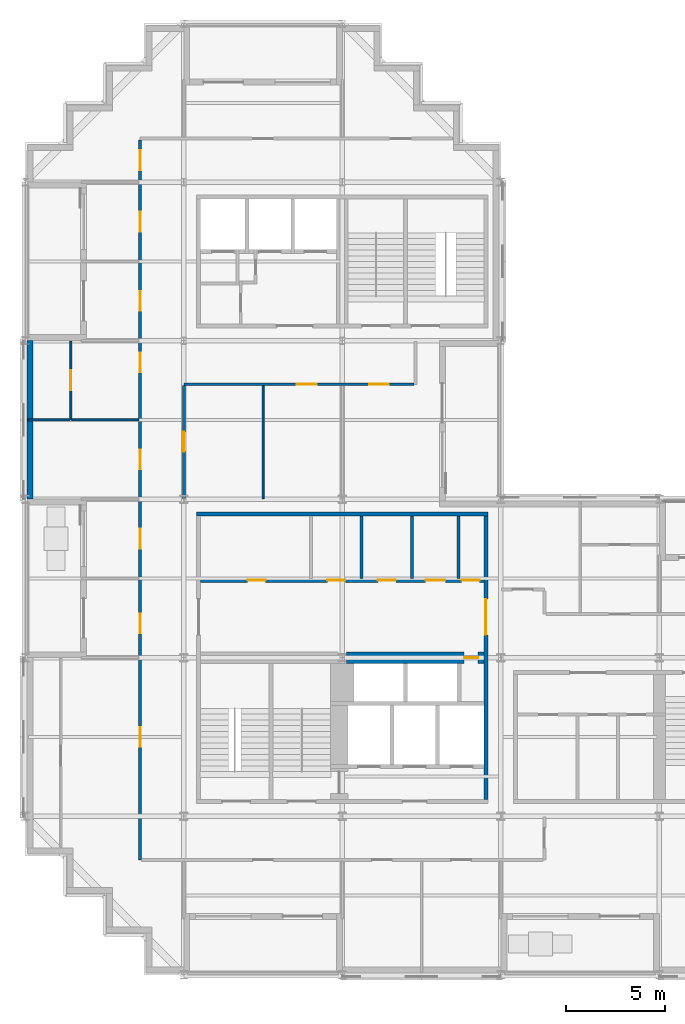
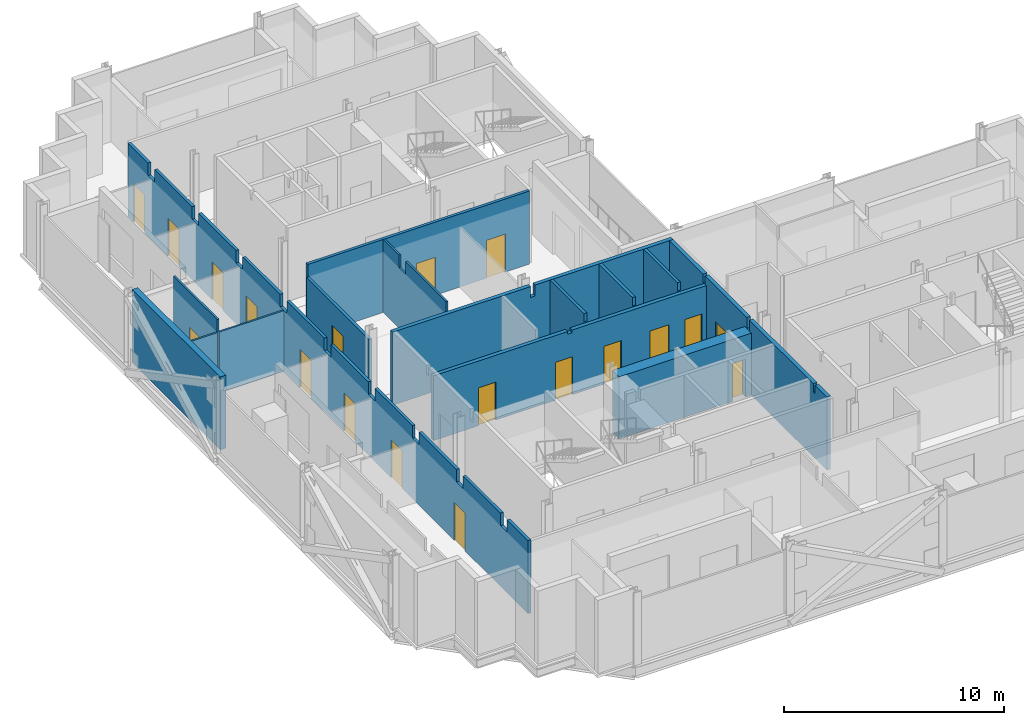
# One storey, part 6 of 13: 19 doors, 15 walls, 19 openings.
"""IFC4 building model written with IfcOpenShell, lengths in metres."""

from ifc_helpers import new_model, si_unit, direction, frame, frame_2d, origin, place, context, subcontext, project, spatial, polyline, rectangle, outline, extrude, material, layer, layer_set, type_object, element, fill, save


model = new_model("IFC4")

# Units and contexts
model_context = context("Model", 3, precision=1e-05, world=origin(), true_north=direction((0.0, 1.0)))
body_context = subcontext(model_context, "Body", "Model", "MODEL_VIEW")
ifc_project = project(units=[si_unit("LENGTHUNIT", "METRE"), si_unit("AREAUNIT", "SQUARE_METRE"), si_unit("VOLUMEUNIT", "CUBIC_METRE"), si_unit("PLANEANGLEUNIT", "RADIAN"), si_unit("MASSUNIT", "GRAM", prefix="KILO")], contexts=[model_context])

# Site, building, storey
site_placement = place(None, origin())
site = spatial("IfcSite", under=ifc_project, at=site_placement, CompositionType="ELEMENT")
building_placement = place(site_placement, origin())
building = spatial("IfcBuilding", under=site, at=building_placement, Name="Immortelle Media Tower", CompositionType="ELEMENT")
storey_placement = place(building_placement, frame((0.0, 0.0, 170.39990234375)))
storey = spatial("IfcBuildingStorey", under=building, at=storey_placement, Name="L35", CompositionType="ELEMENT", Elevation=170.39990234375)

# Wall, opening, door
ifc_material_1 = material(Name="Fire-rated masonry blockwork", Category="masonry")
ifc_layer_1 = layer(ifc_material_1, 0.60009765625)
ifc_layer_set_1 = layer_set([ifc_layer_1], Name="Fire-rated masonry blockwork")
wall_type_1 = type_object("IfcWallType", Name="Core grid-line wall 600", PredefinedType="PARTITIONING", material=ifc_layer_set_1)
wall_1_placement = place(storey_placement, frame((16.20947265625, 16.0, 0.0), z_axis=(0.0, 0.0, 1.0), x_axis=(1.0, 0.0, 0.0)))
wall_1 = element("IfcWall", 1, at=wall_1_placement, inside=storey, type_object=wall_type_1, Name="Core grid-line wall SW", PredefinedType="PARTITIONING", context=body_context, shape_type="SweptSolid", body=[
    extrude(rectangle(XDim=6.9404296875, YDim=0.60009765625, at=frame_2d((3.47021484375, 0.0))), origin(), (0.0, 0.0, 1.0), 3.442138671875),
])
opening_1_placement = place(wall_1_placement, frame((6.640380859375, 0.0, 0.0), z_axis=(0.0, 0.0, 1.0), x_axis=(-1.0, 0.0, 0.0)))
opening_1 = element("IfcOpeningElement", 2, at=opening_1_placement, cuts=wall_1, Name="Opening C5-K016", PredefinedType="OPENING", context=body_context, shape_type="SweptSolid", body=[
    extrude(rectangle(XDim=0.699951171875, YDim=2.10009765625, at=frame_2d((0.35009765625, 1.050048828125))), frame((0.0, 0.31005859375, 0.0), z_axis=(0.0, -1.0, 0.0), x_axis=(1.0, 0.0, 0.0)), (0.0, 0.0, 1.0), 0.6201171875),
])
ifc_material_2 = material(Name="Galvanised steel door leaf and frame ASTM A653", Category="steel")
door_type_1 = type_object("IfcDoorType", Name="Service door 700 x 2100", OperationType="NOTDEFINED", PredefinedType="NOTDEFINED", material=ifc_material_2)
door_1_placement = place(opening_1_placement, origin())
door_1 = element("IfcDoor", 3, at=door_1_placement, inside=storey, type_object=door_type_1, Name="Service C5-K016", OperationType="SINGLE_SWING_LEFT", OverallHeight=2.10009765625, OverallWidth=0.699951171875, PredefinedType="NOTDEFINED", context=body_context, shape_type="SweptSolid", body=[
    extrude(rectangle(XDim=0.699951171875, YDim=2.10009765625, at=frame_2d((0.35009765625, 1.050048828125))), frame((0.0, 0.02490234375, 0.0), z_axis=(0.0, -1.0, 0.0), x_axis=(1.0, 0.0, 0.0)), (0.0, 0.0, 1.0), 0.050048828125),
])
fill(opening_1, door_1)

# Walls
ifc_material_3 = material(Name="Fire-rated gypsum board", Category="gypsum")
ifc_layer_2 = layer(ifc_material_3, 0.02490234375)
ifc_material_4 = material(Name="Steel ASTM A653 SS Gr 50 stud frame with mineral wool", Category="steel")
ifc_layer_3 = layer(ifc_material_4, 0.10009765625)
ifc_layer_4 = layer(ifc_material_3, 0.02490234375)
ifc_layer_set_2 = layer_set([ifc_layer_2, ifc_layer_3, ifc_layer_4], Name="Steel ASTM A653 SS Gr 50 stud frame with mineral wool")
wall_type_2 = type_object("IfcWallType", Name="Core partition 150", PredefinedType="PARTITIONING", material=ifc_layer_set_2)
for number, where, z_axis, x_axis, name in (
    (4, (16.97509765625, 20.0, 0.0), (0.0, 0.0, 1.0), (0.0, 1.0, 0.0), "Core partition SW"),
    (5, (19.52490234375, 20.0, 0.0), (0.0, 0.0, 1.0), (0.0, 1.0, 0.0), "Core partition SW"),
    (6, (21.875, 20.0, 0.0), (0.0, 0.0, 1.0), (0.0, 1.0, 0.0), "Core partition SW"),
):
    element("IfcWall", number, at=place(storey_placement, frame(where, z_axis=z_axis, x_axis=x_axis)), inside=storey, type_object=wall_type_2, Name=name, PredefinedType="PARTITIONING", context=body_context, shape_type="SweptSolid", body=[
        extrude(outline(polyline([(0.0, 0.0), (3.14990234375, 0.0), (3.14990234375, 4.050048828125), (0.08154296875, 4.050048828125), (0.08056640625, 3.589111328125), (0.0, 3.589111328125), (0.0, 0.0)])), frame((0.0, 0.074951171875, 0.0), z_axis=(0.0, -1.0, 0.0), x_axis=(1.0, 0.0, 0.0)), (0.0, 0.0, 1.0), 0.14990234375),
    ])
ifc_layer_5 = layer(ifc_material_3, 0.03759765625)
ifc_layer_6 = layer(ifc_material_4, 0.125)
ifc_layer_7 = layer(ifc_material_3, 0.03759765625)
ifc_layer_set_3 = layer_set([ifc_layer_5, ifc_layer_6, ifc_layer_7], Name="Steel ASTM A653 SS Gr 50 stud frame with mineral wool")
wall_type_3 = type_object("IfcWallType", Name="Core shaft wall 200", PredefinedType="PARTITIONING", material=ifc_layer_set_3)
wall_2_placement = place(storey_placement, frame((8.64990234375, 23.25, 0.0), z_axis=(0.0, 0.0, 1.0), x_axis=(1.0, 0.0, 0.0)))
element("IfcWall", 7, at=wall_2_placement, inside=storey, type_object=wall_type_3, Name="Core shaft wall SW", PredefinedType="PARTITIONING", context=body_context, shape_type="SweptSolid", body=[
    extrude(outline(polyline([(0.0, 0.0), (14.7001953125, 0.0), (14.699951171875, 4.050048828125), (7.468994140625, 4.050048828125), (7.468017578125, 3.442138671875), (7.23193359375, 3.442138671875), (7.23095703125, 4.050048828125), (0.0, 4.050048828125), (0.0, 0.0)])), frame((0.0, 0.10009765625, 0.0), z_axis=(0.0, -1.0, 0.0), x_axis=(1.0, 0.0, 0.0)), (0.0, 0.0, 1.0), 0.199951171875),
])

# Wall, openings, doors
wall_3_placement = place(storey_placement, frame((8.85009765625, 19.89990234375, 0.0), z_axis=(0.0, 0.0, 1.0), x_axis=(1.0, 0.0, 0.0)))
wall_3 = element("IfcWall", 8, at=wall_3_placement, inside=storey, type_object=wall_type_3, Name="Core shaft wall SW", PredefinedType="PARTITIONING", context=body_context, shape_type="SweptSolid", body=[
    extrude(outline(polyline([(0.0, 0.0), (14.2998046875, 0.0), (14.300048828125, 3.589111328125), (7.26904296875, 3.589111328125), (7.26806640625, 3.442138671875), (7.031982421875, 3.442138671875), (7.031005859375, 3.589111328125), (0.0, 3.589111328125), (0.0, 0.0)])), frame((0.0, 0.10009765625, 0.0), z_axis=(0.0, -1.0, 0.0), x_axis=(1.0, 0.0, 0.0)), (0.0, 0.0, 1.0), 0.199951171875),
])
opening_2_placement = place(wall_3_placement, frame((2.375, 0.0, 0.0)))
opening_2 = element("IfcOpeningElement", 9, at=opening_2_placement, cuts=wall_3, Name="Opening C5-K035", PredefinedType="OPENING", context=body_context, shape_type="SweptSolid", body=[
    extrude(rectangle(XDim=0.89990234375, YDim=2.10009765625, at=frame_2d((0.449951171875, 1.050048828125))), frame((0.0, 0.10986328125, 0.0), z_axis=(0.0, -1.0, 0.0), x_axis=(1.0, 0.0, 0.0)), (0.0, 0.0, 1.0), 0.219970703125),
])
opening_3_placement = place(wall_3_placement, frame((6.39990234375, 0.0, 0.0)))
opening_3 = element("IfcOpeningElement", 10, at=opening_3_placement, cuts=wall_3, Name="Opening C5-K036", PredefinedType="OPENING", context=body_context, shape_type="SweptSolid", body=[
    extrude(rectangle(XDim=0.89990234375, YDim=2.10009765625, at=frame_2d((0.449951171875, 1.050048828125))), frame((0.0, 0.10986328125, 0.0), z_axis=(0.0, -1.0, 0.0), x_axis=(1.0, 0.0, 0.0)), (0.0, 0.0, 1.0), 0.219970703125),
])
opening_4_placement = place(wall_3_placement, frame((8.949951171875, 0.0, 0.0)))
opening_4 = element("IfcOpeningElement", 11, at=opening_4_placement, cuts=wall_3, Name="Opening C5-K037", PredefinedType="OPENING", context=body_context, shape_type="SweptSolid", body=[
    extrude(rectangle(XDim=0.89990234375, YDim=2.10009765625, at=frame_2d((0.449951171875, 1.050048828125))), frame((0.0, 0.10986328125, 0.0), z_axis=(0.0, -1.0, 0.0), x_axis=(1.0, 0.0, 0.0)), (0.0, 0.0, 1.0), 0.219970703125),
])
opening_5_placement = place(wall_3_placement, frame((11.35009765625, 0.0, 0.0)))
opening_5 = element("IfcOpeningElement", 12, at=opening_5_placement, cuts=wall_3, Name="Opening C5-K038", PredefinedType="OPENING", context=body_context, shape_type="SweptSolid", body=[
    extrude(rectangle(XDim=1.0, YDim=2.10009765625, at=frame_2d((0.5, 1.050048828125))), frame((0.0, 0.10986328125, 0.0), z_axis=(0.0, -1.0, 0.0), x_axis=(1.0, 0.0, 0.0)), (0.0, 0.0, 1.0), 0.219970703125),
])
opening_6_placement = place(wall_3_placement, frame((13.175048828125, 0.0, 0.0)))
opening_6 = element("IfcOpeningElement", 13, at=opening_6_placement, cuts=wall_3, Name="Opening C5-K039", PredefinedType="OPENING", context=body_context, shape_type="SweptSolid", body=[
    extrude(rectangle(XDim=0.89990234375, YDim=2.10009765625, at=frame_2d((0.449951171875, 1.050048828125))), frame((0.0, 0.10986328125, 0.0), z_axis=(0.0, -1.0, 0.0), x_axis=(1.0, 0.0, 0.0)), (0.0, 0.0, 1.0), 0.219970703125),
])
ifc_material_5 = material(Name="Timber", Category="wood")
door_type_2 = type_object("IfcDoorType", Name="Accessible toilet door 1000 x 2100", OperationType="NOTDEFINED", PredefinedType="NOTDEFINED", material=ifc_material_5)
door_2_placement = place(opening_5_placement, origin())
door_2 = element("IfcDoor", 14, at=door_2_placement, inside=storey, type_object=door_type_2, Name="Accessible toilet C5-K038", OperationType="SINGLE_SWING_RIGHT", OverallHeight=2.10009765625, OverallWidth=1.0, PredefinedType="NOTDEFINED", context=body_context, shape_type="SweptSolid", body=[
    extrude(rectangle(XDim=1.0, YDim=2.10009765625, at=frame_2d((0.5, 1.050048828125))), frame((0.0, 0.02490234375, 0.0), z_axis=(0.0, -1.0, 0.0), x_axis=(1.0, 0.0, 0.0)), (0.0, 0.0, 1.0), 0.050048828125),
])
fill(opening_5, door_2)
door_type_3 = type_object("IfcDoorType", Name="Room door 900 x 2100", OperationType="NOTDEFINED", PredefinedType="NOTDEFINED", material=ifc_material_5)
door_3_placement = place(opening_2_placement, origin())
door_3 = element("IfcDoor", 15, at=door_3_placement, inside=storey, type_object=door_type_3, Name="Room C5-K035", OperationType="SINGLE_SWING_RIGHT", OverallHeight=2.10009765625, OverallWidth=0.89990234375, PredefinedType="NOTDEFINED", context=body_context, shape_type="SweptSolid", body=[
    extrude(rectangle(XDim=0.89990234375, YDim=2.10009765625, at=frame_2d((0.449951171875, 1.050048828125))), frame((0.0, 0.02490234375, 0.0), z_axis=(0.0, -1.0, 0.0), x_axis=(1.0, 0.0, 0.0)), (0.0, 0.0, 1.0), 0.050048828125),
])
fill(opening_2, door_3)
door_type_4 = type_object("IfcDoorType", Name="Service door 900 x 2100", OperationType="NOTDEFINED", PredefinedType="NOTDEFINED", material=ifc_material_2)
door_4_placement = place(opening_6_placement, origin())
door_4 = element("IfcDoor", 16, at=door_4_placement, inside=storey, type_object=door_type_4, Name="Service C5-K039", OperationType="SINGLE_SWING_RIGHT", OverallHeight=2.10009765625, OverallWidth=0.89990234375, PredefinedType="NOTDEFINED", context=body_context, shape_type="SweptSolid", body=[
    extrude(rectangle(XDim=0.89990234375, YDim=2.10009765625, at=frame_2d((0.449951171875, 1.050048828125))), frame((0.0, 0.02490234375, 0.0), z_axis=(0.0, -1.0, 0.0), x_axis=(1.0, 0.0, 0.0)), (0.0, 0.0, 1.0), 0.050048828125),
])
fill(opening_6, door_4)
door_type_5 = type_object("IfcDoorType", Name="Toilet door 900 x 2100", OperationType="NOTDEFINED", PredefinedType="NOTDEFINED", material=ifc_material_5)
door_5_placement = place(opening_3_placement, origin())
door_5 = element("IfcDoor", 17, at=door_5_placement, inside=storey, type_object=door_type_5, Name="Toilet C5-K036", OperationType="SINGLE_SWING_LEFT", OverallHeight=2.10009765625, OverallWidth=0.89990234375, PredefinedType="NOTDEFINED", context=body_context, shape_type="SweptSolid", body=[
    extrude(rectangle(XDim=0.89990234375, YDim=2.10009765625, at=frame_2d((0.449951171875, 1.050048828125))), frame((0.0, 0.02490234375, 0.0), z_axis=(0.0, -1.0, 0.0), x_axis=(1.0, 0.0, 0.0)), (0.0, 0.0, 1.0), 0.050048828125),
])
fill(opening_3, door_5)
door_6_placement = place(opening_4_placement, origin())
door_6 = element("IfcDoor", 18, at=door_6_placement, inside=storey, type_object=door_type_5, Name="Toilet C5-K037", OperationType="SINGLE_SWING_LEFT", OverallHeight=2.10009765625, OverallWidth=0.89990234375, PredefinedType="NOTDEFINED", context=body_context, shape_type="SweptSolid", body=[
    extrude(rectangle(XDim=0.89990234375, YDim=2.10009765625, at=frame_2d((0.449951171875, 1.050048828125))), frame((0.0, 0.02490234375, 0.0), z_axis=(0.0, -1.0, 0.0), x_axis=(1.0, 0.0, 0.0)), (0.0, 0.0, 1.0), 0.050048828125),
])
fill(opening_4, door_6)

# Wall, opening, door
wall_4_placement = place(storey_placement, frame((23.25, 8.85009765625, 0.0), z_axis=(0.0, 0.0, 1.0), x_axis=(0.0, 1.0, 0.0)))
wall_4 = element("IfcWall", 19, at=wall_4_placement, inside=storey, type_object=wall_type_3, Name="Core shaft wall SW", PredefinedType="PARTITIONING", context=body_context, shape_type="SweptSolid", body=[
    extrude(outline(polyline([(0.0, 0.0), (14.2998046875, 0.0), (14.300048828125, 4.050048828125), (11.2314453125, 4.050048828125), (11.23046875, 3.589111328125), (11.069580078125, 3.589111328125), (11.068603515625, 4.050048828125), (7.26904296875, 4.050048828125), (7.26806640625, 3.442138671875), (7.031982421875, 3.442138671875), (7.031005859375, 4.050048828125), (1.2314453125, 4.050048828125), (1.23046875, 3.589111328125), (1.069580078125, 3.589111328125), (1.068603515625, 4.050048828125), (0.0, 4.050048828125), (0.0, 0.0)])), frame((0.0, 0.10009765625, 0.0), z_axis=(0.0, -1.0, 0.0), x_axis=(1.0, 0.0, 0.0)), (0.0, 0.0, 1.0), 0.199951171875),
])
opening_7_placement = place(wall_4_placement, frame((8.300048828125, 0.0, 0.0)))
opening_7 = element("IfcOpeningElement", 20, at=opening_7_placement, cuts=wall_4, Name="Opening C5-K017", PredefinedType="OPENING", context=body_context, shape_type="SweptSolid", body=[
    extrude(rectangle(XDim=1.800048828125, YDim=2.10009765625, at=frame_2d((0.89990234375, 1.050048828125))), frame((0.0, 0.10986328125, 0.0), z_axis=(0.0, -1.0, 0.0), x_axis=(1.0, 0.0, 0.0)), (0.0, 0.0, 1.0), 0.219970703125),
])
door_type_6 = type_object("IfcDoorType", Name="Lift lobby door 1800 x 2100", OperationType="DOUBLE_DOOR_SINGLE_SWING", PredefinedType="NOTDEFINED", material=ifc_material_2)
door_7_placement = place(opening_7_placement, origin())
door_7 = element("IfcDoor", 21, at=door_7_placement, inside=storey, type_object=door_type_6, Name="Lift lobby C5-K017", OperationType="DOUBLE_DOOR_SINGLE_SWING", OverallHeight=2.10009765625, OverallWidth=1.800048828125, PredefinedType="NOTDEFINED", context=body_context, shape_type="SweptSolid", body=[
    extrude(rectangle(XDim=1.800048828125, YDim=2.10009765625, at=frame_2d((0.89990234375, 1.050048828125))), frame((0.0, 0.02490234375, 0.0), z_axis=(0.0, -1.0, 0.0), x_axis=(1.0, 0.0, 0.0)), (0.0, 0.0, 1.0), 0.050048828125),
])
fill(opening_7, door_7)

# Wall, openings, doors
ifc_layer_8 = layer(ifc_material_3, 0.012451171875)
ifc_layer_9 = layer(ifc_material_4, 0.125)
ifc_layer_10 = layer(ifc_material_3, 0.012451171875)
ifc_layer_set_4 = layer_set([ifc_layer_8, ifc_layer_9, ifc_layer_10], Name="Steel ASTM A653 SS Gr 50 stud frame with mineral wool")
wall_type_4 = type_object("IfcWallType", Name="Corridor wall 150", PredefinedType="PARTITIONING", material=ifc_layer_set_4)
wall_5_placement = place(storey_placement, frame((5.800048828125, 5.800048828125, 0.0), z_axis=(0.0, 0.0, 1.0), x_axis=(0.0, 1.0, 0.0)))
wall_5 = element("IfcWall", 22, at=wall_5_placement, inside=storey, type_object=wall_type_4, Name="Partition L35-006", PredefinedType="PARTITIONING", context=body_context, shape_type="SweptSolid", body=[
    extrude(outline(polyline([(0.0, 0.0), (36.324951171875, 0.0), (36.324951171875, 4.050048828125), (34.5, 4.050048828125), (34.498046875, 3.35400390625), (33.902099609375, 3.35400390625), (33.89990234375, 4.050048828125), (30.5, 4.050048828125), (30.498046875, 3.35400390625), (29.902099609375, 3.35400390625), (29.89990234375, 4.050048828125), (26.5, 4.050048828125), (26.498046875, 3.35400390625), (25.902099609375, 3.35400390625), (25.89990234375, 4.050048828125), (22.5, 4.050048828125), (22.498046875, 3.35400390625), (21.902099609375, 3.35400390625), (21.89990234375, 4.050048828125), (18.5, 4.050048828125), (18.498046875, 3.35400390625), (17.902099609375, 3.35400390625), (17.89990234375, 4.050048828125), (14.5, 4.050048828125), (14.498046875, 3.35400390625), (13.902099609375, 3.35400390625), (13.89990234375, 4.050048828125), (10.5, 4.050048828125), (10.498046875, 3.35400390625), (9.902099609375, 3.35400390625), (9.89990234375, 4.050048828125), (6.5, 4.050048828125), (6.498046875, 3.35400390625), (5.902099609375, 3.35400390625), (5.89990234375, 4.050048828125), (2.5, 4.050048828125), (2.498046875, 3.35400390625), (1.902099609375, 3.35400390625), (1.89990234375, 4.050048828125), (0.0, 4.050048828125), (0.0, 0.0)])), frame((0.0, 0.074951171875, 0.0), z_axis=(0.0, -1.0, 0.0), x_axis=(1.0, 0.0, 0.0)), (0.0, 0.0, 1.0), 0.14990234375),
])
opening_8_placement = place(wall_5_placement, frame((5.699951171875, 0.0, 0.0)))
opening_8 = element("IfcOpeningElement", 23, at=opening_8_placement, cuts=wall_5, Name="Opening C5-F005", PredefinedType="OPENING", context=body_context, shape_type="SweptSolid", body=[
    extrude(rectangle(XDim=1.0, YDim=2.10009765625, at=frame_2d((0.5, 1.050048828125))), frame((0.0, 0.0849609375, 0.0), z_axis=(0.0, -1.0, 0.0), x_axis=(1.0, 0.0, 0.0)), (0.0, 0.0, 1.0), 0.169921875),
])
opening_9_placement = place(wall_5_placement, frame((11.425048828125, 0.0, 0.0)))
opening_9 = element("IfcOpeningElement", 24, at=opening_9_placement, cuts=wall_5, Name="Opening C5-F008", PredefinedType="OPENING", context=body_context, shape_type="SweptSolid", body=[
    extrude(rectangle(XDim=1.0, YDim=2.10009765625, at=frame_2d((0.5, 1.050048828125))), frame((0.0, 0.0849609375, 0.0), z_axis=(0.0, -1.0, 0.0), x_axis=(1.0, 0.0, 0.0)), (0.0, 0.0, 1.0), 0.169921875),
])
opening_10_placement = place(wall_5_placement, frame((15.699951171875, 0.0, 0.0)))
opening_10 = element("IfcOpeningElement", 25, at=opening_10_placement, cuts=wall_5, Name="Opening C5-F009", PredefinedType="OPENING", context=body_context, shape_type="SweptSolid", body=[
    extrude(rectangle(XDim=1.0, YDim=2.10009765625, at=frame_2d((0.5, 1.050048828125))), frame((0.0, 0.0849609375, 0.0), z_axis=(0.0, -1.0, 0.0), x_axis=(1.0, 0.0, 0.0)), (0.0, 0.0, 1.0), 0.169921875),
])
opening_11_placement = place(wall_5_placement, frame((19.699951171875, 0.0, 0.0)))
opening_11 = element("IfcOpeningElement", 26, at=opening_11_placement, cuts=wall_5, Name="Opening C5-F016", PredefinedType="OPENING", context=body_context, shape_type="SweptSolid", body=[
    extrude(rectangle(XDim=1.0, YDim=2.10009765625, at=frame_2d((0.5, 1.050048828125))), frame((0.0, 0.0849609375, 0.0), z_axis=(0.0, -1.0, 0.0), x_axis=(1.0, 0.0, 0.0)), (0.0, 0.0, 1.0), 0.169921875),
])
opening_12_placement = place(wall_5_placement, frame((25.60009765625, 0.0, 0.0), z_axis=(0.0, 0.0, 1.0), x_axis=(-1.0, 0.0, 0.0)))
opening_12 = element("IfcOpeningElement", 27, at=opening_12_placement, cuts=wall_5, Name="Opening C5-F017", PredefinedType="OPENING", context=body_context, shape_type="SweptSolid", body=[
    extrude(rectangle(XDim=1.0, YDim=2.10009765625, at=frame_2d((0.5, 1.050048828125))), frame((0.0, 0.0849609375, 0.0), z_axis=(0.0, -1.0, 0.0), x_axis=(1.0, 0.0, 0.0)), (0.0, 0.0, 1.0), 0.169921875),
])
opening_13_placement = place(wall_5_placement, frame((27.699951171875, 0.0, 0.0)))
opening_13 = element("IfcOpeningElement", 28, at=opening_13_placement, cuts=wall_5, Name="Opening C5-F019", PredefinedType="OPENING", context=body_context, shape_type="SweptSolid", body=[
    extrude(rectangle(XDim=1.0, YDim=2.10009765625, at=frame_2d((0.5, 1.050048828125))), frame((0.0, 0.0849609375, 0.0), z_axis=(0.0, -1.0, 0.0), x_axis=(1.0, 0.0, 0.0)), (0.0, 0.0, 1.0), 0.169921875),
])
opening_14_placement = place(wall_5_placement, frame((31.699951171875, 0.0, 0.0)))
opening_14 = element("IfcOpeningElement", 29, at=opening_14_placement, cuts=wall_5, Name="Opening C5-F020", PredefinedType="OPENING", context=body_context, shape_type="SweptSolid", body=[
    extrude(rectangle(XDim=1.0, YDim=2.10009765625, at=frame_2d((0.5, 1.050048828125))), frame((0.0, 0.0849609375, 0.0), z_axis=(0.0, -1.0, 0.0), x_axis=(1.0, 0.0, 0.0)), (0.0, 0.0, 1.0), 0.169921875),
])
opening_15_placement = place(wall_5_placement, frame((34.800048828125, 0.0, 0.0)))
opening_15 = element("IfcOpeningElement", 30, at=opening_15_placement, cuts=wall_5, Name="Opening C5-F021", PredefinedType="OPENING", context=body_context, shape_type="SweptSolid", body=[
    extrude(rectangle(XDim=1.0, YDim=2.10009765625, at=frame_2d((0.5, 1.050048828125))), frame((0.0, 0.0849609375, 0.0), z_axis=(0.0, -1.0, 0.0), x_axis=(1.0, 0.0, 0.0)), (0.0, 0.0, 1.0), 0.169921875),
])
ifc_material_6 = material(Name="Timber veneered door leaf, galvanised steel frame ASTM A653", Category="steel")
door_type_7 = type_object("IfcDoorType", Name="Room door 1000 x 2100", OperationType="NOTDEFINED", PredefinedType="DOOR", material=ifc_material_6)
door_8_placement = place(opening_8_placement, origin())
door_8 = element("IfcDoor", 31, at=door_8_placement, inside=storey, type_object=door_type_7, Name="Door C5-F005", OperationType="SINGLE_SWING_RIGHT", OverallHeight=2.10009765625, OverallWidth=1.0, PredefinedType="DOOR", context=body_context, shape_type="SweptSolid", body=[
    extrude(rectangle(XDim=1.0, YDim=2.10009765625, at=frame_2d((0.5, 1.050048828125))), frame((0.0, 0.02490234375, 0.0), z_axis=(0.0, -1.0, 0.0), x_axis=(1.0, 0.0, 0.0)), (0.0, 0.0, 1.0), 0.050048828125),
])
fill(opening_8, door_8)
door_9_placement = place(opening_9_placement, origin())
door_9 = element("IfcDoor", 32, at=door_9_placement, inside=storey, type_object=door_type_7, Name="Door C5-F008", OperationType="SINGLE_SWING_LEFT", OverallHeight=2.10009765625, OverallWidth=1.0, PredefinedType="DOOR", context=body_context, shape_type="SweptSolid", body=[
    extrude(rectangle(XDim=1.0, YDim=2.10009765625, at=frame_2d((0.5, 1.050048828125))), frame((0.0, 0.02490234375, 0.0), z_axis=(0.0, -1.0, 0.0), x_axis=(1.0, 0.0, 0.0)), (0.0, 0.0, 1.0), 0.050048828125),
])
fill(opening_9, door_9)
door_10_placement = place(opening_10_placement, origin())
door_10 = element("IfcDoor", 33, at=door_10_placement, inside=storey, type_object=door_type_7, Name="Door C5-F009", OperationType="SINGLE_SWING_LEFT", OverallHeight=2.10009765625, OverallWidth=1.0, PredefinedType="DOOR", context=body_context, shape_type="SweptSolid", body=[
    extrude(rectangle(XDim=1.0, YDim=2.10009765625, at=frame_2d((0.5, 1.050048828125))), frame((0.0, 0.02490234375, 0.0), z_axis=(0.0, -1.0, 0.0), x_axis=(1.0, 0.0, 0.0)), (0.0, 0.0, 1.0), 0.050048828125),
])
fill(opening_10, door_10)
door_11_placement = place(opening_11_placement, origin())
door_11 = element("IfcDoor", 34, at=door_11_placement, inside=storey, type_object=door_type_7, Name="Door C5-F016", OperationType="SINGLE_SWING_RIGHT", OverallHeight=2.10009765625, OverallWidth=1.0, PredefinedType="DOOR", context=body_context, shape_type="SweptSolid", body=[
    extrude(rectangle(XDim=1.0, YDim=2.10009765625, at=frame_2d((0.5, 1.050048828125))), frame((0.0, 0.02490234375, 0.0), z_axis=(0.0, -1.0, 0.0), x_axis=(1.0, 0.0, 0.0)), (0.0, 0.0, 1.0), 0.050048828125),
])
fill(opening_11, door_11)
door_12_placement = place(opening_12_placement, origin())
door_12 = element("IfcDoor", 35, at=door_12_placement, inside=storey, type_object=door_type_7, Name="Door C5-F017", OperationType="SINGLE_SWING_LEFT", OverallHeight=2.10009765625, OverallWidth=1.0, PredefinedType="DOOR", context=body_context, shape_type="SweptSolid", body=[
    extrude(rectangle(XDim=1.0, YDim=2.10009765625, at=frame_2d((0.5, 1.050048828125))), frame((0.0, 0.02490234375, 0.0), z_axis=(0.0, -1.0, 0.0), x_axis=(1.0, 0.0, 0.0)), (0.0, 0.0, 1.0), 0.050048828125),
])
fill(opening_12, door_12)
door_13_placement = place(opening_13_placement, origin())
door_13 = element("IfcDoor", 36, at=door_13_placement, inside=storey, type_object=door_type_7, Name="Door C5-F019", OperationType="SINGLE_SWING_RIGHT", OverallHeight=2.10009765625, OverallWidth=1.0, PredefinedType="DOOR", context=body_context, shape_type="SweptSolid", body=[
    extrude(rectangle(XDim=1.0, YDim=2.10009765625, at=frame_2d((0.5, 1.050048828125))), frame((0.0, 0.02490234375, 0.0), z_axis=(0.0, -1.0, 0.0), x_axis=(1.0, 0.0, 0.0)), (0.0, 0.0, 1.0), 0.050048828125),
])
fill(opening_13, door_13)
door_14_placement = place(opening_14_placement, origin())
door_14 = element("IfcDoor", 37, at=door_14_placement, inside=storey, type_object=door_type_7, Name="Door C5-F020", OperationType="SINGLE_SWING_LEFT", OverallHeight=2.10009765625, OverallWidth=1.0, PredefinedType="DOOR", context=body_context, shape_type="SweptSolid", body=[
    extrude(rectangle(XDim=1.0, YDim=2.10009765625, at=frame_2d((0.5, 1.050048828125))), frame((0.0, 0.02490234375, 0.0), z_axis=(0.0, -1.0, 0.0), x_axis=(1.0, 0.0, 0.0)), (0.0, 0.0, 1.0), 0.050048828125),
])
fill(opening_14, door_14)
door_15_placement = place(opening_15_placement, origin())
door_15 = element("IfcDoor", 38, at=door_15_placement, inside=storey, type_object=door_type_7, Name="Door C5-F021", OperationType="SINGLE_SWING_LEFT", OverallHeight=2.10009765625, OverallWidth=1.0, PredefinedType="DOOR", context=body_context, shape_type="SweptSolid", body=[
    extrude(rectangle(XDim=1.0, YDim=2.10009765625, at=frame_2d((0.5, 1.050048828125))), frame((0.0, 0.02490234375, 0.0), z_axis=(0.0, -1.0, 0.0), x_axis=(1.0, 0.0, 0.0)), (0.0, 0.0, 1.0), 0.050048828125),
])
fill(opening_15, door_15)

# Wall, opening, door
wall_6_placement = place(storey_placement, frame((8.0, 24.030029296875, 0.0), z_axis=(0.0, 0.0, 1.0), x_axis=(0.0, 1.0, 0.0)))
wall_6 = element("IfcWall", 39, at=wall_6_placement, inside=storey, type_object=wall_type_4, Name="Partition L35-021", PredefinedType="PARTITIONING", context=body_context, shape_type="SweptSolid", body=[
    extrude(rectangle(XDim=5.695068359375, YDim=0.14990234375, at=frame_2d((2.84765625, 0.0))), origin(), (0.0, 0.0, 1.0), 3.35400390625),
])
opening_16_placement = place(wall_6_placement, frame((3.3701171875, 0.0, 0.0), z_axis=(0.0, 0.0, 1.0), x_axis=(-1.0, 0.0, 0.0)))
opening_16 = element("IfcOpeningElement", 40, at=opening_16_placement, cuts=wall_6, Name="Opening C5-F013", PredefinedType="OPENING", context=body_context, shape_type="SweptSolid", body=[
    extrude(rectangle(XDim=1.0, YDim=2.10009765625, at=frame_2d((0.5, 1.050048828125))), frame((0.0, 0.0849609375, 0.0), z_axis=(0.0, -1.0, 0.0), x_axis=(1.0, 0.0, 0.0)), (0.0, 0.0, 1.0), 0.169921875),
])
door_16_placement = place(opening_16_placement, origin())
door_16 = element("IfcDoor", 41, at=door_16_placement, inside=storey, type_object=door_type_7, Name="Door C5-F013", OperationType="SINGLE_SWING_RIGHT", OverallHeight=2.10009765625, OverallWidth=1.0, PredefinedType="DOOR", context=body_context, shape_type="SweptSolid", body=[
    extrude(rectangle(XDim=1.0, YDim=2.10009765625, at=frame_2d((0.5, 1.050048828125))), frame((0.0, 0.02490234375, 0.0), z_axis=(0.0, -1.0, 0.0), x_axis=(1.0, 0.0, 0.0)), (0.0, 0.0, 1.0), 0.050048828125),
])
fill(opening_16, door_16)

# Wall, openings, doors
wall_7_placement = place(storey_placement, frame((8.0, 29.800048828125, 0.0), z_axis=(0.0, 0.0, 1.0), x_axis=(1.0, 0.0, 0.0)))
wall_7 = element("IfcWall", 42, at=wall_7_placement, inside=storey, type_object=wall_type_4, Name="Partition L35-027", PredefinedType="PARTITIONING", context=body_context, shape_type="SweptSolid", body=[
    extrude(rectangle(XDim=11.625, YDim=0.14990234375, at=frame_2d((5.8125, 0.0))), origin(), (0.0, 0.0, 1.0), 4.050048828125),
])
opening_17_placement = place(wall_7_placement, frame((6.699951171875, 0.0, 0.0), z_axis=(0.0, 0.0, 1.0), x_axis=(-1.0, 0.0, 0.0)))
opening_17 = element("IfcOpeningElement", 43, at=opening_17_placement, cuts=wall_7, Name="Opening C5-F014", PredefinedType="OPENING", context=body_context, shape_type="SweptSolid", body=[
    extrude(rectangle(XDim=1.0, YDim=2.10009765625, at=frame_2d((0.5, 1.050048828125))), frame((0.0, 0.0849609375, 0.0), z_axis=(0.0, -1.0, 0.0), x_axis=(1.0, 0.0, 0.0)), (0.0, 0.0, 1.0), 0.169921875),
])
opening_18_placement = place(wall_7_placement, frame((10.35009765625, 0.0, 0.0), z_axis=(0.0, 0.0, 1.0), x_axis=(-1.0, 0.0, 0.0)))
opening_18 = element("IfcOpeningElement", 44, at=opening_18_placement, cuts=wall_7, Name="Opening C5-F015", PredefinedType="OPENING", context=body_context, shape_type="SweptSolid", body=[
    extrude(rectangle(XDim=1.0, YDim=2.10009765625, at=frame_2d((0.5, 1.050048828125))), frame((0.0, 0.0849609375, 0.0), z_axis=(0.0, -1.0, 0.0), x_axis=(1.0, 0.0, 0.0)), (0.0, 0.0, 1.0), 0.169921875),
])
door_17_placement = place(opening_17_placement, origin())
door_17 = element("IfcDoor", 45, at=door_17_placement, inside=storey, type_object=door_type_7, Name="Door C5-F014", OperationType="SINGLE_SWING_LEFT", OverallHeight=2.10009765625, OverallWidth=1.0, PredefinedType="DOOR", context=body_context, shape_type="SweptSolid", body=[
    extrude(rectangle(XDim=1.0, YDim=2.10009765625, at=frame_2d((0.5, 1.050048828125))), frame((0.0, 0.02490234375, 0.0), z_axis=(0.0, -1.0, 0.0), x_axis=(1.0, 0.0, 0.0)), (0.0, 0.0, 1.0), 0.050048828125),
])
fill(opening_17, door_17)
door_18_placement = place(opening_18_placement, origin())
door_18 = element("IfcDoor", 46, at=door_18_placement, inside=storey, type_object=door_type_7, Name="Door C5-F015", OperationType="SINGLE_SWING_RIGHT", OverallHeight=2.10009765625, OverallWidth=1.0, PredefinedType="DOOR", context=body_context, shape_type="SweptSolid", body=[
    extrude(rectangle(XDim=1.0, YDim=2.10009765625, at=frame_2d((0.5, 1.050048828125))), frame((0.0, 0.02490234375, 0.0), z_axis=(0.0, -1.0, 0.0), x_axis=(1.0, 0.0, 0.0)), (0.0, 0.0, 1.0), 0.050048828125),
])
fill(opening_18, door_18)

# Walls
ifc_material_7 = material(Name="Pale aluminium cladding panel", Category="aluminium")
ifc_layer_11 = layer(ifc_material_7, 0.030029296875)
ifc_layer_12 = layer(ifc_material_4, 0.257568359375)
ifc_material_8 = material(Name="Moisture-resistant gypsum board", Category="gypsum")
ifc_layer_13 = layer(ifc_material_8, 0.012451171875)
ifc_layer_set_5 = layer_set([ifc_layer_11, ifc_layer_12, ifc_layer_13], Name="Steel ASTM A653 SS Gr 50 stud frame with mineral wool")
wall_type_5 = type_object("IfcWallType", Name="Facade wall 300", PredefinedType="SOLIDWALL", material=ifc_layer_set_5)
wall_8_placement = place(storey_placement, frame((0.25, 32.0, 0.0), z_axis=(0.0, 0.0, 1.0), x_axis=(0.0, -1.0, 0.0)))
element("IfcWall", 47, at=wall_8_placement, inside=storey, type_object=wall_type_5, Name="Facade wall L35 W35", PredefinedType="SOLIDWALL", context=body_context, shape_type="SweptSolid", body=[
    extrude(rectangle(XDim=8.0, YDim=0.300048828125, at=frame_2d((4.0, 0.0))), origin(), (0.0, 0.0, 1.0), 4.050048828125),
])
ifc_material_9 = material(Name="Gypsum board", Category="gypsum")
ifc_layer_14 = layer(ifc_material_9, 0.012451171875)
ifc_layer_15 = layer(ifc_material_4, 0.074951171875)
ifc_layer_16 = layer(ifc_material_9, 0.012451171875)
ifc_layer_set_6 = layer_set([ifc_layer_14, ifc_layer_15, ifc_layer_16], Name="Steel ASTM A653 SS Gr 50 stud frame with mineral wool")
wall_type_6 = type_object("IfcWallType", Name="Partition 100", PredefinedType="PARTITIONING", material=ifc_layer_set_6)
wall_9_placement = place(storey_placement, frame((12.0, 24.030029296875, 0.0), z_axis=(0.0, 0.0, 1.0), x_axis=(0.0, 1.0, 0.0)))
element("IfcWall", 48, at=wall_9_placement, inside=storey, type_object=wall_type_6, Name="Partition L35-022", PredefinedType="PARTITIONING", context=body_context, shape_type="SweptSolid", body=[
    extrude(outline(polyline([(0.0, 0.0), (5.695068359375, 0.0), (5.695068359375, 4.050048828125), (4.27001953125, 4.050048828125), (4.26806640625, 3.35400390625), (3.672119140625, 3.35400390625), (3.669921875, 4.050048828125), (0.0, 4.050048828125), (0.0, 0.0)])), frame((0.0, 0.050048828125, 0.0), z_axis=(0.0, -1.0, 0.0), x_axis=(1.0, 0.0, 0.0)), (0.0, 0.0, 1.0), 0.10009765625),
])
wall_10_placement = place(storey_placement, frame((0.1298828125, 28.0, 0.0), z_axis=(0.0, 0.0, 1.0), x_axis=(1.0, 0.0, 0.0)))
element("IfcWall", 49, at=wall_10_placement, inside=storey, type_object=wall_type_6, Name="Partition L35-024", PredefinedType="PARTITIONING", context=body_context, shape_type="SweptSolid", body=[
    extrude(rectangle(XDim=2.1201171875, YDim=0.10009765625, at=frame_2d((1.06005859375, 0.0))), origin(), (0.0, 0.0, 1.0), 3.35400390625),
])
wall_11_placement = place(storey_placement, frame((2.35009765625, 28.0, 0.0), z_axis=(0.0, 0.0, 1.0), x_axis=(1.0, 0.0, 0.0)))
element("IfcWall", 50, at=wall_11_placement, inside=storey, type_object=wall_type_6, Name="Partition L35-025", PredefinedType="PARTITIONING", context=body_context, shape_type="SweptSolid", body=[
    extrude(rectangle(XDim=3.375, YDim=0.10009765625, at=frame_2d((1.6875, 0.0))), origin(), (0.0, 0.0, 1.0), 3.35400390625),
])

# Wall, opening, door
wall_12_placement = place(storey_placement, frame((2.300048828125, 28.0, 0.0), z_axis=(0.0, 0.0, 1.0), x_axis=(0.0, 1.0, 0.0)))
wall_12 = element("IfcWall", 51, at=wall_12_placement, inside=storey, type_object=wall_type_6, Name="Partition L35-026", PredefinedType="PARTITIONING", context=body_context, shape_type="SweptSolid", body=[
    extrude(rectangle(XDim=3.969970703125, YDim=0.10009765625, at=frame_2d((1.98486328125, 0.0))), origin(), (0.0, 0.0, 1.0), 4.050048828125),
])
opening_19_placement = place(wall_12_placement, frame((1.5, 0.0, 0.0)))
opening_19 = element("IfcOpeningElement", 52, at=opening_19_placement, cuts=wall_12, Name="Opening C5-F018", PredefinedType="OPENING", context=body_context, shape_type="SweptSolid", body=[
    extrude(rectangle(XDim=1.0, YDim=2.10009765625, at=frame_2d((0.5, 1.050048828125))), frame((0.0, 0.06005859375, 0.0), z_axis=(0.0, -1.0, 0.0), x_axis=(1.0, 0.0, 0.0)), (0.0, 0.0, 1.0), 0.1201171875),
])
door_19_placement = place(opening_19_placement, origin())
door_19 = element("IfcDoor", 53, at=door_19_placement, inside=storey, type_object=door_type_7, Name="Door C5-F018", OperationType="SINGLE_SWING_RIGHT", OverallHeight=2.10009765625, OverallWidth=1.0, PredefinedType="DOOR", context=body_context, shape_type="SweptSolid", body=[
    extrude(rectangle(XDim=1.0, YDim=2.10009765625, at=frame_2d((0.5, 1.050048828125))), frame((0.0, 0.02490234375, 0.0), z_axis=(0.0, -1.0, 0.0), x_axis=(1.0, 0.0, 0.0)), (0.0, 0.0, 1.0), 0.050048828125),
])
fill(opening_19, door_19)

save(model, "model.ifc")
